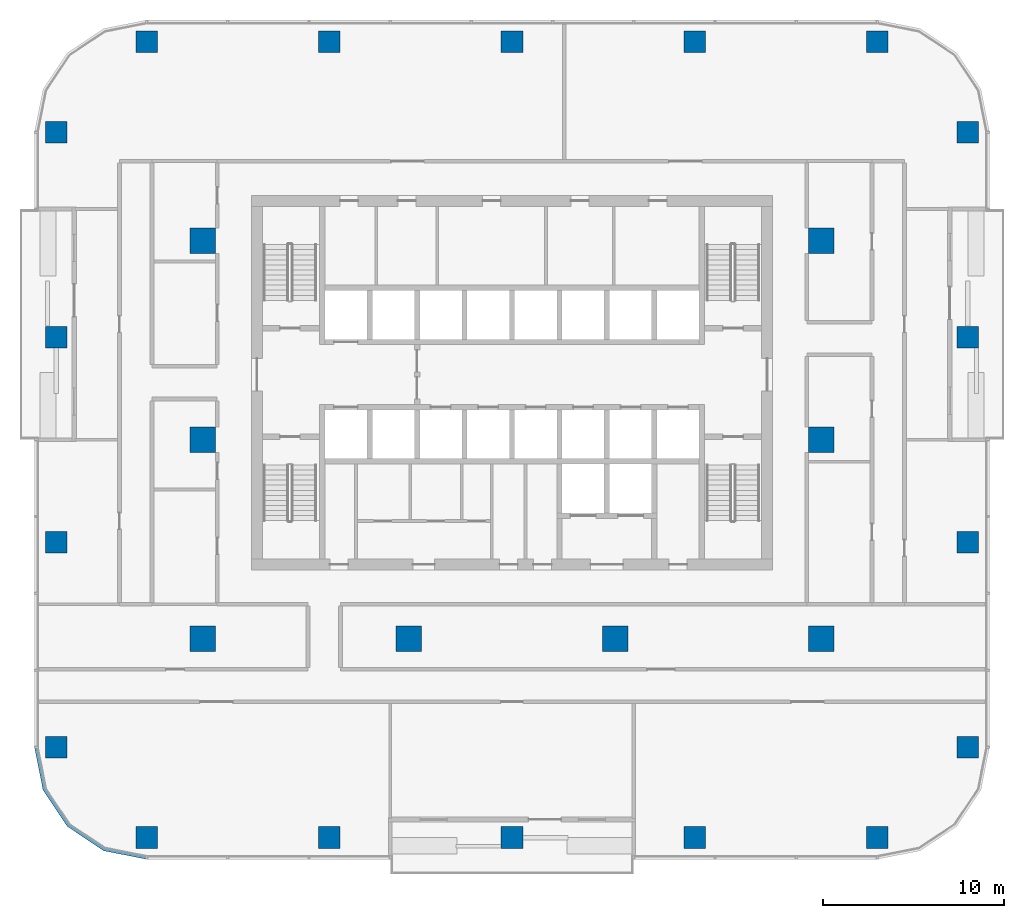
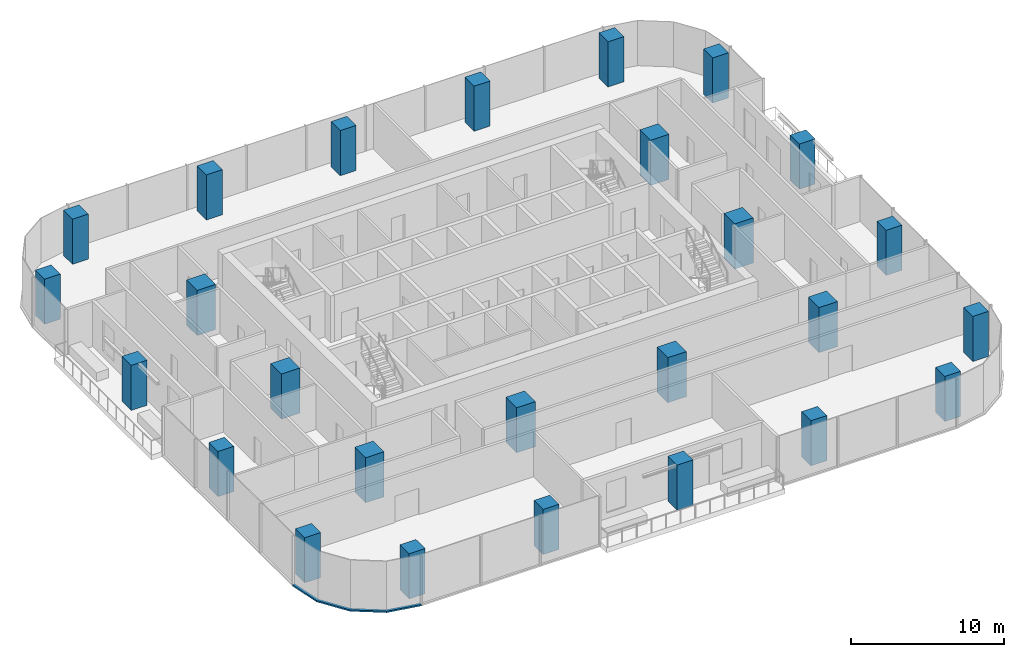
# One storey, part 1 of 14: 26 columns, 1 member, 1 element without a shape of its own.
"""IFC4 building model written with IfcOpenShell, lengths in metres."""

from ifc_helpers import new_model, si_unit, direction, frame, origin, origin_2d, place, context, subcontext, project, spatial, polyline, rectangle, outline, extrude, material, material_profile, profile_set, type_object, element, aggregate, save


model = new_model("IFC4")

# Units and contexts
model_context = context("Model", 3, precision=1e-05, world=origin(), true_north=direction((0.0, 1.0)))
body_context = subcontext(model_context, "Body", "Model", "MODEL_VIEW")
ifc_project = project(units=[si_unit("LENGTHUNIT", "METRE"), si_unit("AREAUNIT", "SQUARE_METRE"), si_unit("VOLUMEUNIT", "CUBIC_METRE"), si_unit("PLANEANGLEUNIT", "RADIAN"), si_unit("MASSUNIT", "GRAM", prefix="KILO")], contexts=[model_context])

# Site, building, storey
site_placement = place(None, origin())
site = spatial("IfcSite", under=ifc_project, at=site_placement, CompositionType="ELEMENT")
building_placement = place(site_placement, origin())
building = spatial("IfcBuilding", under=site, at=building_placement, Name="Mopane Tessera Tower", CompositionType="ELEMENT")
storey_placement = place(building_placement, frame((0.0, 0.0, 161.0)))
storey = spatial("IfcBuildingStorey", under=building, at=storey_placement, Name="L32", CompositionType="ELEMENT", Elevation=161.0)

# Columns
ifc_material_1 = material(Name="Concrete C50/60", Category="concrete")
ifc_material_profile_1 = material_profile(ifc_material_1, rectangle(XDim=1.39990234375, YDim=1.39990234375, at=origin_2d()))
ifc_profile_set_1 = profile_set([ifc_material_profile_1], Name="Concrete C50/60")
column_type_1 = type_object("IfcColumnType", Name="Interior column 1400 x 1400 C50/60", PredefinedType="COLUMN", material=ifc_profile_set_1)
for number, where, z_axis, x_axis, name in (
    (1, (-17.10009765625, -11.0, 0.0), (0.0, 0.0, 1.0), (1.0, 0.0, 0.0), "Interior column I1A L32"),
    (2, (-17.10009765625, 0.0, 0.0), (0.0, 0.0, 1.0), (1.0, 0.0, 0.0), "Interior column I1B L32"),
    (3, (-17.10009765625, 11.0, 0.0), (0.0, 0.0, 1.0), (1.0, 0.0, 0.0), "Interior column I1C L32"),
    (4, (-5.699951171875, -11.0, 0.0), (0.0, 0.0, 1.0), (1.0, 0.0, 0.0), "Interior column I2A L32"),
    (5, (5.699951171875, -11.0, 0.0), (0.0, 0.0, 1.0), (1.0, 0.0, 0.0), "Interior column I3A L32"),
    (6, (17.10009765625, -11.0, 0.0), (0.0, 0.0, 1.0), (1.0, 0.0, 0.0), "Interior column I4A L32"),
    (7, (17.10009765625, 0.0, 0.0), (0.0, 0.0, 1.0), (1.0, 0.0, 0.0), "Interior column I4B L32"),
    (8, (17.10009765625, 11.0, 0.0), (0.0, 0.0, 1.0), (1.0, 0.0, 0.0), "Interior column I4C L32"),
):
    element("IfcColumn", number, at=place(storey_placement, frame(where, z_axis=z_axis, x_axis=x_axis)), inside=storey, type_object=column_type_1, Name=name, PredefinedType="COLUMN", context=body_context, shape_type="SweptSolid", body=[
        extrude(rectangle(XDim=1.39990234375, YDim=1.39990234375, at=origin_2d()), origin(), (0.0, 0.0, 1.0), 3.60009765625),
    ])
ifc_material_2 = material(Name="Concrete C50/60", Category="concrete")
ifc_material_profile_2 = material_profile(ifc_material_2, rectangle(XDim=1.199951171875, YDim=1.199951171875, at=origin_2d()))
ifc_profile_set_2 = profile_set([ifc_material_profile_2], Name="Concrete C50/60")
column_type_2 = type_object("IfcColumnType", Name="Ring column 1200 x 1200 C50/60", PredefinedType="COLUMN", material=ifc_profile_set_2)
for number, where, z_axis, x_axis, name in (
    (9, (-20.199951171875, -22.0, 0.0), (0.0, 0.0, 1.0), (1.0, 0.0, 0.0), "Ring column S0 L32"),
    (10, (-10.10009765625, -22.0, 0.0), (0.0, 0.0, 1.0), (1.0, 0.0, 0.0), "Ring column S1 L32"),
    (11, (0.0, -22.0, 0.0), (0.0, 0.0, 1.0), (1.0, 0.0, 0.0), "Ring column S2 L32"),
    (12, (10.10009765625, -22.0, 0.0), (0.0, 0.0, 1.0), (1.0, 0.0, 0.0), "Ring column S3 L32"),
    (13, (20.199951171875, -22.0, 0.0), (0.0, 0.0, 1.0), (1.0, 0.0, 0.0), "Ring column S4 L32"),
    (14, (25.199951171875, -17.0, 0.0), (0.0, 0.0, 1.0), (1.0, 0.0, 0.0), "Ring column E0 L32"),
    (15, (25.199951171875, -5.666748046875, 0.0), (0.0, 0.0, 1.0), (1.0, 0.0, 0.0), "Ring column E1 L32"),
    (16, (25.199951171875, 5.666748046875, 0.0), (0.0, 0.0, 1.0), (1.0, 0.0, 0.0), "Ring column E2 L32"),
    (17, (25.199951171875, 17.0, 0.0), (0.0, 0.0, 1.0), (1.0, 0.0, 0.0), "Ring column E3 L32"),
    (18, (20.199951171875, 22.0, 0.0), (0.0, 0.0, 1.0), (1.0, 0.0, 0.0), "Ring column N0 L32"),
    (19, (10.10009765625, 22.0, 0.0), (0.0, 0.0, 1.0), (1.0, 0.0, 0.0), "Ring column N1 L32"),
    (20, (0.0, 22.0, 0.0), (0.0, 0.0, 1.0), (1.0, 0.0, 0.0), "Ring column N2 L32"),
    (21, (-10.10009765625, 22.0, 0.0), (0.0, 0.0, 1.0), (1.0, 0.0, 0.0), "Ring column N3 L32"),
    (22, (-20.199951171875, 22.0, 0.0), (0.0, 0.0, 1.0), (1.0, 0.0, 0.0), "Ring column N4 L32"),
    (23, (-25.199951171875, 17.0, 0.0), (0.0, 0.0, 1.0), (1.0, 0.0, 0.0), "Ring column W0 L32"),
    (24, (-25.199951171875, 5.666748046875, 0.0), (0.0, 0.0, 1.0), (1.0, 0.0, 0.0), "Ring column W1 L32"),
    (25, (-25.199951171875, -5.666748046875, 0.0), (0.0, 0.0, 1.0), (1.0, 0.0, 0.0), "Ring column W2 L32"),
    (26, (-25.199951171875, -17.0, 0.0), (0.0, 0.0, 1.0), (1.0, 0.0, 0.0), "Ring column W3 L32"),
):
    element("IfcColumn", number, at=place(storey_placement, frame(where, z_axis=z_axis, x_axis=x_axis)), inside=storey, type_object=column_type_2, Name=name, PredefinedType="COLUMN", context=body_context, shape_type="SweptSolid", body=[
        extrude(rectangle(XDim=1.199951171875, YDim=1.199951171875, at=origin_2d()), origin(), (0.0, 0.0, 1.0), 3.60009765625),
    ])

# Curtain wall, member
ifc_material_3 = material(Name="Aluminium frame", Category="aluminium")
curtain_wall_type = type_object("IfcCurtainWallType", Name="Unitised curtain wall", PredefinedType="NOTDEFINED", material=ifc_material_3)
curtain_wall_placement = place(storey_placement, origin())
curtain_wall = element("IfcCurtainWall", 27, at=curtain_wall_placement, inside=storey, type_object=curtain_wall_type, Name="e:cw:L32:CW", PredefinedType="NOTDEFINED")
ifc_material_4 = material(Name="Aluminium frame", Category="aluminium")
ifc_material_profile_3 = material_profile(ifc_material_4, rectangle(XDim=0.199951171875, YDim=0.1201171875, at=origin_2d()))
ifc_profile_set_3 = profile_set([ifc_material_profile_3], Name="Aluminium frame")
member_type = type_object("IfcMemberType", Name="Aluminium transom 200 x 120", PredefinedType="USERDEFINED", material=ifc_profile_set_3)
member_placement = place(storey_placement, frame((0.0, 0.0, -0.39990234375)))
member = element("IfcMember", 28, at=member_placement, type_object=member_type, Name="e:cw:L32:CW:tr", ObjectType="TRANSOM", PredefinedType="USERDEFINED", context=body_context, shape_type="SweptSolid", body=[
    extrude(outline(polyline([(-26.199951171875, -17.0), (-25.7431640625, -19.296142578125), (-24.442626953125, -21.24267578125), (-22.49609375, -22.543212890625), (-20.199951171875, -23.0), (-20.199951171875, -23.199951171875), (-22.57275390625, -22.72802734375), (-24.583984375, -21.384033203125), (-25.927978515625, -19.37255859375), (-26.39990234375, -17.0), (-26.199951171875, -17.0)])), origin(), (0.0, 0.0, 1.0), 0.119873046875),
])
aggregate(curtain_wall, [member])

save(model, "model.ifc")
